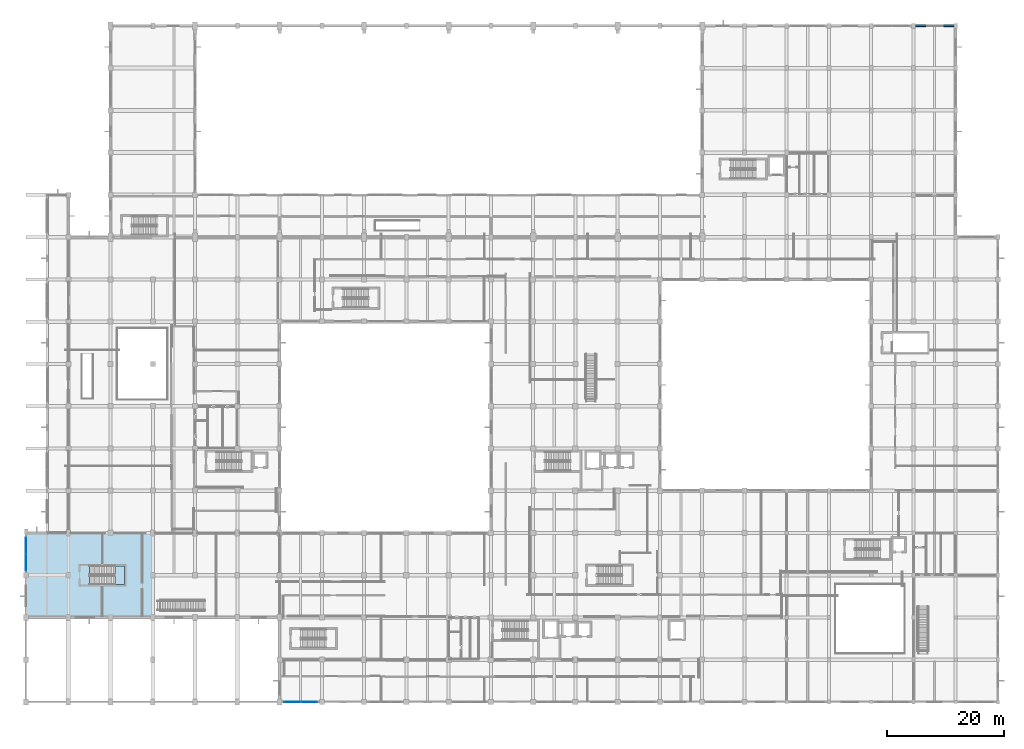
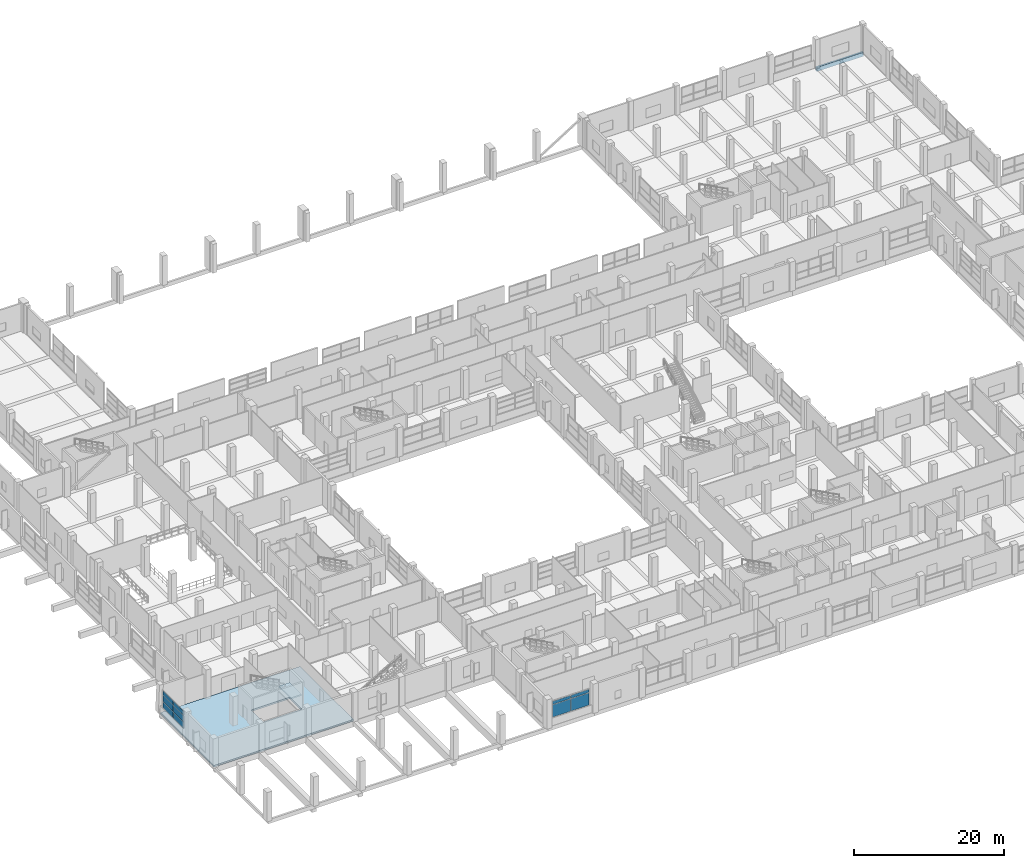
# One storey, part 145 of 181: 10 plates, 2 slabs, 1 beam, 3 elements without a shape of their own.
"""IFC4 building model written with IfcOpenShell, lengths in metres."""

from ifc_helpers import new_model, si_unit, direction, frame, origin, origin_2d, place, context, subcontext, project, spatial, polyline, rectangle, outline, extrude, material, layer, layer_set, material_profile, profile_set, type_object, element, aggregate, save


model = new_model("IFC4")

# Units and contexts
model_context = context("Model", 3, precision=1e-05, world=origin(), true_north=direction((0.0, 1.0)))
body_context = subcontext(model_context, "Body", "Model", "MODEL_VIEW")
ifc_project = project(units=[si_unit("LENGTHUNIT", "METRE"), si_unit("AREAUNIT", "SQUARE_METRE"), si_unit("VOLUMEUNIT", "CUBIC_METRE"), si_unit("PLANEANGLEUNIT", "RADIAN"), si_unit("MASSUNIT", "GRAM", prefix="KILO")], contexts=[model_context])

# Site, building, storey
site_placement = place(None, origin())
site = spatial("IfcSite", under=ifc_project, at=site_placement, CompositionType="ELEMENT")
building_placement = place(site_placement, origin())
building = spatial("IfcBuilding", under=site, at=building_placement, Name="Seraya Terrace Polytechnic", CompositionType="ELEMENT")
storey_placement = place(building_placement, frame((0.0, 0.0, 4.800048828125)))
storey = spatial("IfcBuildingStorey", under=building, at=storey_placement, Name="L01", CompositionType="ELEMENT", Elevation=4.800048828125)

# Beam
ifc_material_1 = material(Name="Concrete C40/50", Category="concrete")
ifc_material_profile = material_profile(ifc_material_1, rectangle(XDim=0.300048828125, YDim=0.64990234375, at=origin_2d()), Name="RC 300x650")
ifc_profile_set = profile_set([ifc_material_profile], Name="Concrete C40/50")
beam_type = type_object("IfcBeamType", Name="SP-01", PredefinedType="SPANDREL", material=ifc_profile_set)
beam_placement = place(storey_placement, frame((151.199951171875, 115.199951171875, -0.324951171875), z_axis=(1.0, 0.0, 0.0), x_axis=(0.0, 1.0, 0.0)))
element("IfcBeam", 1, at=beam_placement, inside=storey, type_object=beam_type, Name="Beam SP-01 L01 X (151.2..158.4, 115.2)", PredefinedType="SPANDREL", context=body_context, shape_type="SweptSolid", body=[
    extrude(rectangle(XDim=0.300048828125, YDim=0.64990234375, at=origin_2d()), origin(), (0.0, 0.0, 1.0), 7.199951171875),
])

# Curtain wall, plates
ifc_material_2 = material(Name="Anodised aluminium EN AW-6063 T6", Category="aluminium")
ifc_layer_1 = layer(ifc_material_2, 0.179931640625, Name="CW-01")
ifc_layer_set_1 = layer_set([ifc_layer_1], Name="Anodised aluminium EN AW-6063 T6")
curtain_wall_type_1 = type_object("IfcCurtainWallType", Name="CW-01", PredefinedType="NOTDEFINED", material=ifc_layer_set_1)
curtain_wall_1_placement = place(storey_placement, origin())
curtain_wall_1 = element("IfcCurtainWall", 2, at=curtain_wall_1_placement, inside=storey, type_object=curtain_wall_type_1, Name="Unitised curtain wall CW-01 (CW-L01-001)", PredefinedType="NOTDEFINED")
ifc_material_3 = material(Name="Laminated solar-control Low-E double glazing", Category="glass")
ifc_layer_2 = layer(ifc_material_3, 0.028076171875, Name="CWP-01")
ifc_layer_set_2 = layer_set([ifc_layer_2], Name="Laminated solar-control Low-E double glazing")
plate_type_1 = type_object("IfcPlateType", Name="CWP-01", PredefinedType="CURTAIN_PANEL", material=ifc_layer_set_2)
plate_1_placement = place(storey_placement, frame((0.0, 23.7763671875, 1.300048828125), z_axis=(0.0, 0.0, 1.0), x_axis=(0.0, 1.0, 0.0)))
plate_1 = element("IfcPlate", 3, at=plate_1_placement, type_object=plate_type_1, Name="CW-01 panel 1.1", PredefinedType="CURTAIN_PANEL", context=body_context, shape_type="SweptSolid", body=[
    extrude(rectangle(XDim=2.782470703125, YDim=0.028076171875, at=origin_2d()), origin(), (0.0, 0.0, 1.0), 0.94677734375),
])
plate_2_placement = place(storey_placement, frame((0.0, 23.7763671875, 2.306640625), z_axis=(0.0, 0.0, 1.0), x_axis=(0.0, 1.0, 0.0)))
plate_2 = element("IfcPlate", 4, at=plate_2_placement, type_object=plate_type_1, Name="CW-01 panel 1.2", PredefinedType="CURTAIN_PANEL", context=body_context, shape_type="SweptSolid", body=[
    extrude(rectangle(XDim=2.782470703125, YDim=0.028076171875, at=origin_2d()), origin(), (0.0, 0.0, 1.0), 0.976806640625),
])
plate_3_placement = place(storey_placement, frame((0.0, 23.7763671875, 3.343505859375), z_axis=(0.0, 0.0, 1.0), x_axis=(0.0, 1.0, 0.0)))
plate_3 = element("IfcPlate", 5, at=plate_3_placement, type_object=plate_type_1, Name="CW-01 panel 1.3", PredefinedType="CURTAIN_PANEL", context=body_context, shape_type="SweptSolid", body=[
    extrude(rectangle(XDim=2.782470703125, YDim=0.028076171875, at=origin_2d()), origin(), (0.0, 0.0, 1.0), 0.71630859375),
])
plate_4_placement = place(storey_placement, frame((0.0, 26.623779296875, 1.300048828125), z_axis=(0.0, 0.0, 1.0), x_axis=(0.0, 1.0, 0.0)))
plate_4 = element("IfcPlate", 6, at=plate_4_placement, type_object=plate_type_1, Name="CW-01 panel 2.1", PredefinedType="CURTAIN_PANEL", context=body_context, shape_type="SweptSolid", body=[
    extrude(rectangle(XDim=2.782470703125, YDim=0.028076171875, at=origin_2d()), origin(), (0.0, 0.0, 1.0), 0.94677734375),
])
plate_5_placement = place(storey_placement, frame((0.0, 26.623779296875, 2.306640625), z_axis=(0.0, 0.0, 1.0), x_axis=(0.0, 1.0, 0.0)))
plate_5 = element("IfcPlate", 7, at=plate_5_placement, type_object=plate_type_1, Name="CW-01 panel 2.2", PredefinedType="CURTAIN_PANEL", context=body_context, shape_type="SweptSolid", body=[
    extrude(rectangle(XDim=2.782470703125, YDim=0.028076171875, at=origin_2d()), origin(), (0.0, 0.0, 1.0), 0.976806640625),
])
plate_6_placement = place(storey_placement, frame((0.0, 26.623779296875, 3.343505859375), z_axis=(0.0, 0.0, 1.0), x_axis=(0.0, 1.0, 0.0)))
plate_6 = element("IfcPlate", 8, at=plate_6_placement, type_object=plate_type_1, Name="CW-01 panel 2.3", PredefinedType="CURTAIN_PANEL", context=body_context, shape_type="SweptSolid", body=[
    extrude(rectangle(XDim=2.782470703125, YDim=0.028076171875, at=origin_2d()), origin(), (0.0, 0.0, 1.0), 0.71630859375),
])
aggregate(curtain_wall_1, [plate_1, plate_2, plate_3, plate_4, plate_5, plate_6])

ifc_layer_3 = layer(ifc_material_2, 0.179931640625, Name="CW-35")
ifc_layer_set_3 = layer_set([ifc_layer_3], Name="Anodised aluminium EN AW-6063 T6")
curtain_wall_type_2 = type_object("IfcCurtainWallType", Name="CW-35", PredefinedType="NOTDEFINED", material=ifc_layer_set_3)
curtain_wall_2_placement = place(storey_placement, origin())
curtain_wall_2 = element("IfcCurtainWall", 9, at=curtain_wall_2_placement, inside=storey, type_object=curtain_wall_type_2, Name="Unitised curtain wall CW-35 (CW-L01-035)", PredefinedType="NOTDEFINED")
ifc_layer_4 = layer(ifc_material_3, 0.031982421875, Name="CWP-02")
ifc_layer_set_4 = layer_set([ifc_layer_4], Name="Laminated solar-control Low-E double glazing")
plate_type_2 = type_object("IfcPlateType", Name="CWP-02", PredefinedType="CURTAIN_PANEL", material=ifc_layer_set_4)
plate_7_placement = place(storey_placement, frame((48.22509765625, 0.0, 1.2998046875), z_axis=(0.0, 0.0, 1.0), x_axis=(-1.0, 0.0, 0.0)))
plate_7 = element("IfcPlate", 10, at=plate_7_placement, type_object=plate_type_2, Name="CW-35 panel 1.1", PredefinedType="CURTAIN_PANEL", context=body_context, shape_type="SweptSolid", body=[
    extrude(rectangle(XDim=2.7900390625, YDim=0.031982421875, at=origin_2d()), origin(), (0.0, 0.0, 1.0), 2.010009765625),
])
plate_8_placement = place(storey_placement, frame((48.22509765625, 0.0, 3.3701171875), z_axis=(0.0, 0.0, 1.0), x_axis=(-1.0, 0.0, 0.0)))
plate_8 = element("IfcPlate", 11, at=plate_8_placement, type_object=plate_type_2, Name="CW-35 panel 1.2", PredefinedType="CURTAIN_PANEL", context=body_context, shape_type="SweptSolid", body=[
    extrude(rectangle(XDim=2.7900390625, YDim=0.031982421875, at=origin_2d()), origin(), (0.0, 0.0, 1.0), 0.530029296875),
])
plate_9_placement = place(storey_placement, frame((45.375, 0.0, 1.2998046875), z_axis=(0.0, 0.0, 1.0), x_axis=(-1.0, 0.0, 0.0)))
plate_9 = element("IfcPlate", 12, at=plate_9_placement, type_object=plate_type_2, Name="CW-35 panel 2.1", PredefinedType="CURTAIN_PANEL", context=body_context, shape_type="SweptSolid", body=[
    extrude(rectangle(XDim=2.7900390625, YDim=0.031982421875, at=origin_2d()), origin(), (0.0, 0.0, 1.0), 2.010009765625),
])
plate_10_placement = place(storey_placement, frame((45.375, 0.0, 3.3701171875), z_axis=(0.0, 0.0, 1.0), x_axis=(-1.0, 0.0, 0.0)))
plate_10 = element("IfcPlate", 13, at=plate_10_placement, type_object=plate_type_2, Name="CW-35 panel 2.2", PredefinedType="CURTAIN_PANEL", context=body_context, shape_type="SweptSolid", body=[
    extrude(rectangle(XDim=2.7900390625, YDim=0.031982421875, at=origin_2d()), origin(), (0.0, 0.0, 1.0), 0.530029296875),
])
aggregate(curtain_wall_2, [plate_7, plate_8, plate_9, plate_10])

# Slab
ifc_layer_5 = layer(ifc_material_1, 0.27001953125, Name="FS-05")
ifc_layer_set_5 = layer_set([ifc_layer_5], Name="Concrete C40/50")
slab_type_1 = type_object("IfcSlabType", Name="FS-05", PredefinedType="FLOOR", material=ifc_layer_set_5)
slab_1_placement = place(storey_placement, frame((0.0, 0.0, -0.27001953125)))
element("IfcSlab", 14, at=slab_1_placement, inside=storey, type_object=slab_type_1, Name="Floor slab SLB-V3-LECT-L01-S1 (FS-05)", PredefinedType="FLOOR", context=body_context, shape_type="SweptSolid", body=[
    extrude(outline(polyline([(0.06005859375, 28.739990234375), (21.60009765625, 28.739990234375), (21.60009765625, 14.4599609375), (0.06005859375, 14.4599609375), (0.06005859375, 28.739990234375)]), holes=[polyline([(16.800048828125, 23.199951171875), (10.840087890625, 23.199951171875), (10.840087890625, 20.0), (16.800048828125, 20.0), (16.800048828125, 23.199951171875)])]), origin(), (0.0, 0.0, 1.0), 0.27001953125),
])

# Stair, slab
stair_type = type_object("IfcStairType", Name="ST-T1", PredefinedType="HALF_TURN_STAIR", material=ifc_material_1)
stair_placement = place(storey_placement, origin())
stair = element("IfcStair", 15, at=stair_placement, inside=storey, type_object=stair_type, Name="L01 Protected exit stair ST-09", PredefinedType="HALF_TURN_STAIR")
ifc_layer_6 = layer(ifc_material_1, 0.199951171875, Name="SL-01")
ifc_layer_set_6 = layer_set([ifc_layer_6], Name="Concrete C40/50")
slab_type_2 = type_object("IfcSlabType", Name="SL-01", PredefinedType="LANDING", material=ifc_layer_set_6)
slab_2_placement = place(storey_placement, frame((0.0, 0.0, 2.199951171875)))
slab_2 = element("IfcSlab", 16, at=slab_2_placement, type_object=slab_type_2, Name="ST-09 landing 1", PredefinedType="LANDING", context=body_context, shape_type="SweptSolid", body=[
    extrude(outline(polyline([(15.14990234375, 20.0), (16.800048828125, 20.0), (16.800048828125, 23.199951171875), (15.14990234375, 23.199951171875), (15.14990234375, 20.0)])), origin(), (0.0, 0.0, 1.0), 0.199951171875),
])
aggregate(stair, [slab_2])

save(model, "model.ifc")
